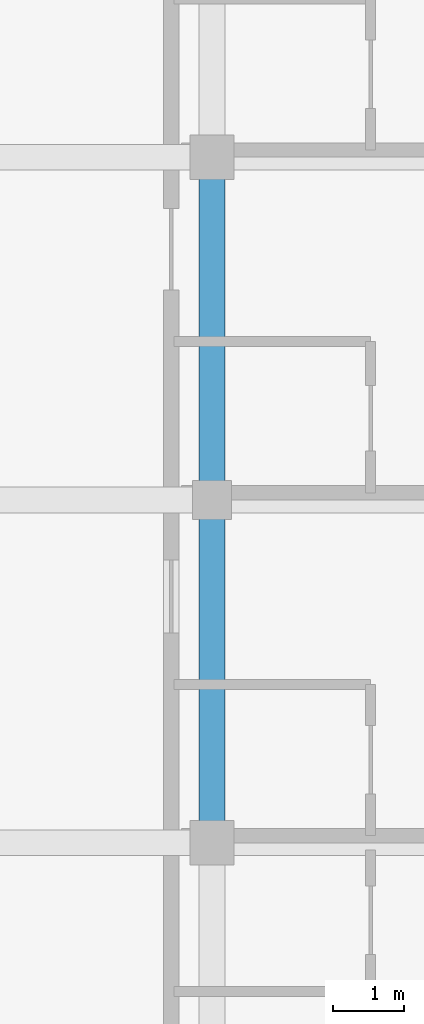
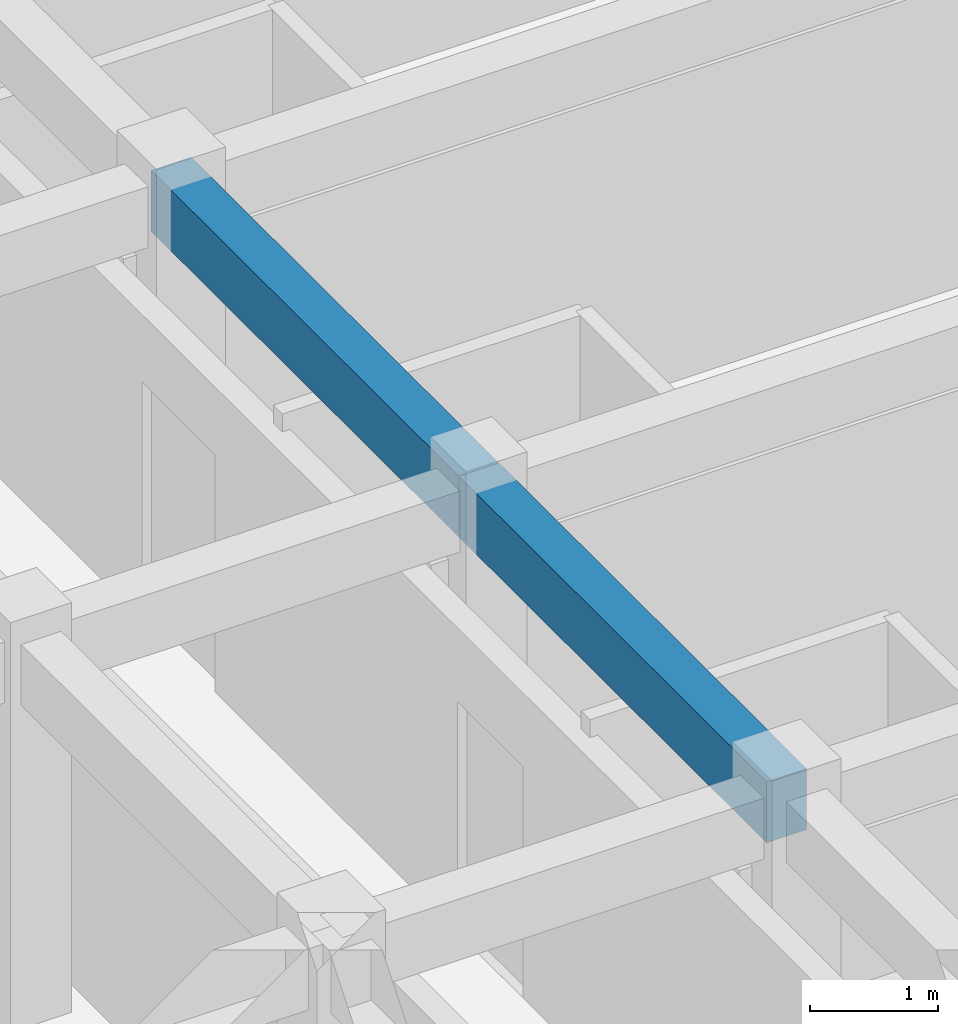
# One storey, part 7 of 50: 2 beams.
"""IFC4 building model written with IfcOpenShell, lengths in metres."""

from ifc_helpers import new_model, si_unit, direction, frame, origin, origin_2d, place, context, subcontext, project, spatial, rectangle, extrude, material, material_profile, profile_set, type_object, element, save


model = new_model("IFC4")

# Units and contexts
model_context = context("Model", 3, precision=1e-05, world=origin(), true_north=direction((0.0, 1.0)))
body_context = subcontext(model_context, "Body", "Model", "MODEL_VIEW")
ifc_project = project(units=[si_unit("LENGTHUNIT", "METRE"), si_unit("AREAUNIT", "SQUARE_METRE"), si_unit("VOLUMEUNIT", "CUBIC_METRE"), si_unit("PLANEANGLEUNIT", "RADIAN"), si_unit("MASSUNIT", "GRAM", prefix="KILO")], contexts=[model_context])

# Site, building, storey
site_placement = place(None, origin())
site = spatial("IfcSite", under=ifc_project, at=site_placement, CompositionType="ELEMENT")
building_placement = place(site_placement, origin())
building = spatial("IfcBuilding", under=site, at=building_placement, Name="Nakhvara Creek Congress Hotel", CompositionType="ELEMENT")
storey_placement = place(building_placement, frame((0.0, 0.0, 42.60009765625)))
storey = spatial("IfcBuildingStorey", under=building, at=storey_placement, Name="L10", CompositionType="ELEMENT", Elevation=42.60009765625)

# Beams
ifc_material = material(Name="Concrete C40/50", Category="concrete")
ifc_material_profile = material_profile(ifc_material, rectangle(XDim=0.360107421875, YDim=0.580078125, at=origin_2d()), Name="RC-BM 360x580", Category="LoadBearing")
ifc_profile_set = profile_set([ifc_material_profile], Name="Concrete C40/50")
beam_type = type_object("IfcBeamType", Name="BM-RC-360X580", PredefinedType="BEAM", material=ifc_profile_set)
for number, where, z_axis, x_axis, name in (
    (1, (166.449951171875, 67.199951171875, 3.369873046875), (0.0, 1.0, 0.0), (-1.0, 0.0, 0.0), "Beam B09-L10-2670"),
    (2, (166.449951171875, 72.0, 3.369873046875), (0.0, 1.0, 0.0), (-1.0, 0.0, 0.0), "Beam B09-L10-2672"),
):
    element("IfcBeam", number, at=place(storey_placement, frame(where, z_axis=z_axis, x_axis=x_axis)), inside=storey, type_object=beam_type, Name=name, PredefinedType="BEAM", context=body_context, shape_type="SweptSolid", body=[
        extrude(rectangle(XDim=0.360107421875, YDim=0.580078125, at=origin_2d()), origin(), (0.0, 0.0, 1.0), 4.800048828125),
    ])

save(model, "model.ifc")
